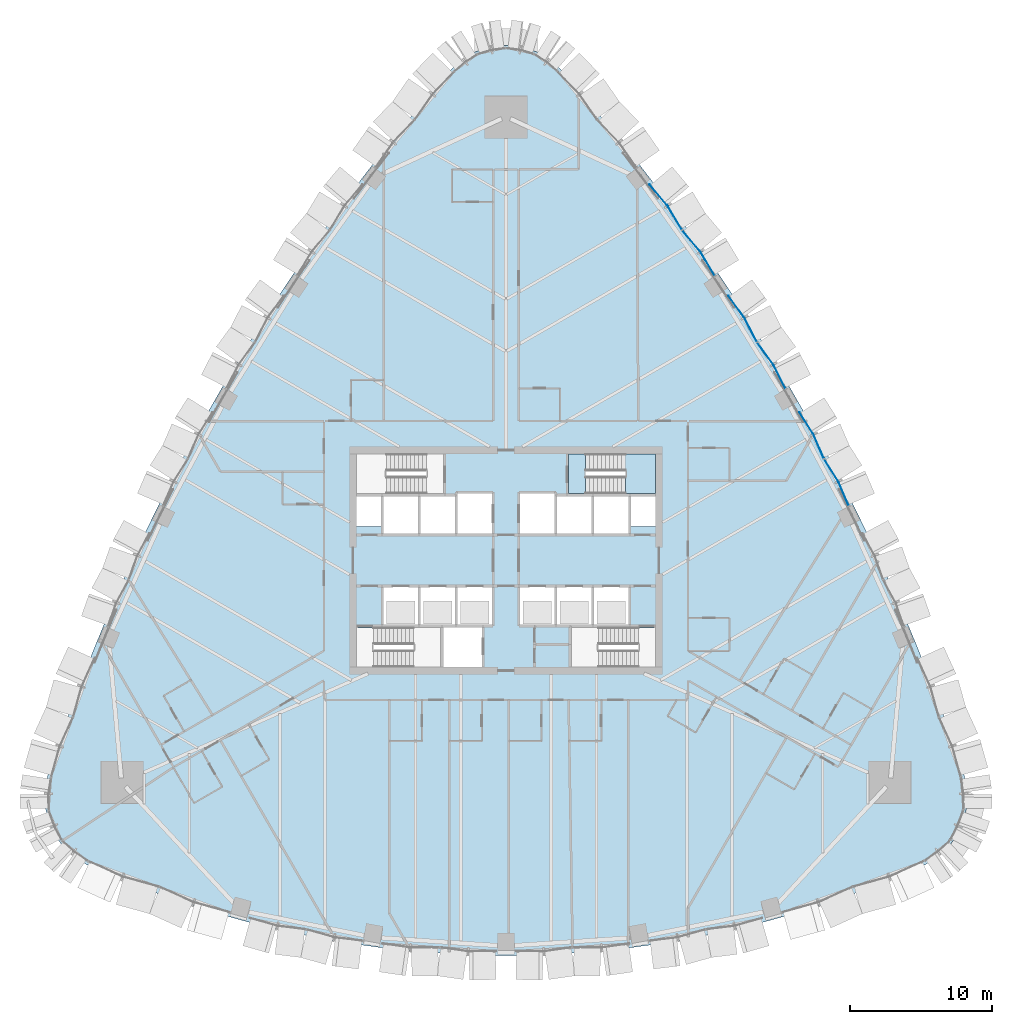
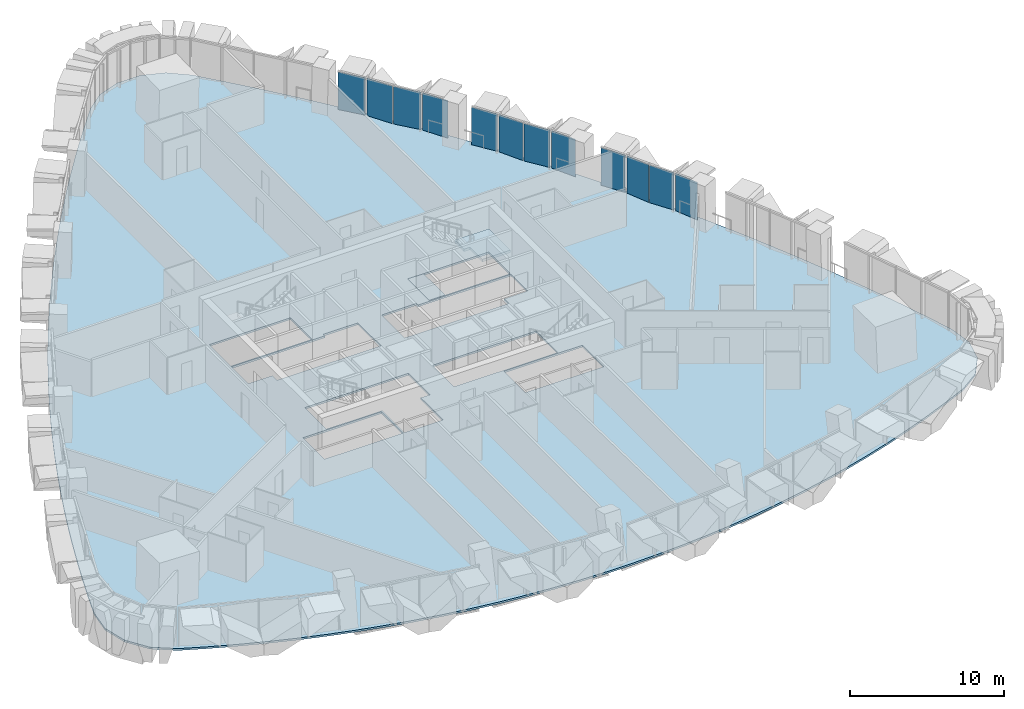
# One storey, part 13 of 24: 12 plates, 3 slabs, 4 elements without a shape of their own.
"""IFC4 building model written with IfcOpenShell, lengths in metres."""

import ifcopenshell
import ifcopenshell.guid

model = None  # the IFC model being written
_history = None  # IfcOwnerHistory: only IFC2X3 demands one
_inside = {}  # id of a spatial element -> (the spatial element, [elements in it])
_under = {}  # id of a project, library or spatial element -> (it, [spatial elements below it])
_declared = {}  # id of a project -> (the project, [libraries it declares])
_typed = {}  # id of a type object -> (the type object, [elements of that type])
_made_of = {}  # id of a material, layer set ... -> (it, [elements and type objects made of it])


def new_model(schema):
    """Start an empty IFC model of exactly this schema.

    Asked for "IFC4X3", IfcOpenShell would pick the latest addendum, in which some entities
    have other attributes; the version numbers below select the first issue.
    IFC2X3 requires an IfcOwnerHistory on every rooted entity: one is made here for all.
    """
    global model, _history
    if schema == "IFC4X3":
        model = ifcopenshell.file(schema_version=(4, 3, 0, 0))
    else:
        model = ifcopenshell.file(schema=schema)
    _inside.clear()
    _under.clear()
    _declared.clear()
    _typed.clear()
    _made_of.clear()
    _history = None
    if model.schema == "IFC2X3":
        org = make("IfcOrganization", Name="unknown")
        user = make(
            "IfcPersonAndOrganization",
            ThePerson=make("IfcPerson", FamilyName="unknown"),
            TheOrganization=org,
        )
        app = make(
            "IfcApplication",
            ApplicationDeveloper=org,
            Version="unknown",
            ApplicationFullName="unknown",
            ApplicationIdentifier="unknown",
        )
        _history = make(
            "IfcOwnerHistory",
            OwningUser=user,
            OwningApplication=app,
            ChangeAction="ADDED",
            CreationDate=0,
        )
    return model


def make(cls, **values):
    """One entity of the class cls with the attributes given. An attribute that is None is left unset."""
    return model.create_entity(
        cls, **{name: value for name, value in values.items() if value is not None}
    )


def rooted(cls, **values):
    """An entity with a GlobalId (a new one), such as an element, a storey or a relation."""
    return make(cls, GlobalId=ifcopenshell.guid.new(), OwnerHistory=_history, **values)


def si_unit(unit_type, name, prefix=None):
    """IfcSIUnit, for example si_unit("LENGTHUNIT", "METRE", prefix="MILLI")."""
    return make("IfcSIUnit", UnitType=unit_type, Prefix=prefix, Name=name)


def assignment(units):
    """IfcUnitAssignment: the units of a project."""
    return None if units is None else make("IfcUnitAssignment", Units=units)


def point(xyz):
    """IfcCartesianPoint."""
    return None if xyz is None else make("IfcCartesianPoint", Coordinates=xyz)


def direction(xyz):
    """IfcDirection."""
    return None if xyz is None else make("IfcDirection", DirectionRatios=xyz)


def frame(location, z_axis=None, x_axis=None):
    """IfcAxis2Placement3D, a coordinate frame: its origin and axes. An axis left out is left unset."""
    return make(
        "IfcAxis2Placement3D",
        Location=point(location),
        Axis=direction(z_axis),
        RefDirection=direction(x_axis),
    )


def origin():
    """The frame at (0, 0, 0) with its axes left unset."""
    return frame((0.0, 0.0, 0.0))


def place(relative_to, where):
    """IfcLocalPlacement: puts the frame where relative to a parent placement (None: the world)."""
    return make(
        "IfcLocalPlacement", PlacementRelTo=relative_to, RelativePlacement=where
    )


def context(
    kind, dimensions, precision=None, world=None, true_north=None, identifier=None
):
    """IfcGeometricRepresentationContext, for example the 3D "Model" context."""
    return make(
        "IfcGeometricRepresentationContext",
        ContextIdentifier=identifier,
        ContextType=kind,
        CoordinateSpaceDimension=dimensions,
        Precision=precision,
        WorldCoordinateSystem=world,
        TrueNorth=true_north,
    )


def subcontext(parent, identifier, kind, view, scale=None):
    """IfcGeometricRepresentationSubContext, for example "Body" below "Model"."""
    return make(
        "IfcGeometricRepresentationSubContext",
        ContextIdentifier=identifier,
        ContextType=kind,
        ParentContext=parent,
        TargetScale=scale,
        TargetView=view,
    )


def project(units=None, contexts=None):
    """IfcProject with its units and contexts."""
    return rooted(
        "IfcProject",
        Name="project",
        RepresentationContexts=contexts,
        UnitsInContext=assignment(units),
    )


def spatial(cls, under=None, at=None, **own):
    """A site, building, storey or space (cls), placed at a placement, below another one or the project."""
    s = rooted(cls, ObjectPlacement=at, **own)
    if under is not None:
        _under.setdefault(under.id(), (under, []))[1].append(s)
    return s


def polyline(points):
    """IfcPolyline through the points."""
    return make("IfcPolyline", Points=[point(p) for p in points])


def outline(outer, holes=None, kind="AREA"):
    """IfcArbitraryClosedProfileDef: a profile drawn as a closed curve; with holes, ...WithVoids."""
    if holes is None:
        return make("IfcArbitraryClosedProfileDef", ProfileType=kind, OuterCurve=outer)
    return make(
        "IfcArbitraryProfileDefWithVoids",
        ProfileType=kind,
        OuterCurve=outer,
        InnerCurves=holes,
    )


def extrude(swept, where, along, depth):
    """IfcExtrudedAreaSolid: the profile swept, set in the frame where, extruded along a direction by depth."""
    return make(
        "IfcExtrudedAreaSolid",
        SweptArea=swept,
        Position=where,
        ExtrudedDirection=direction(along),
        Depth=depth,
    )


def shape(context_of_items, identifier, shape_type, items):
    """IfcShapeRepresentation: the items that make up one representation, for example the "Body"."""
    return make(
        "IfcShapeRepresentation",
        ContextOfItems=context_of_items,
        RepresentationIdentifier=identifier,
        RepresentationType=shape_type,
        Items=items,
    )


def material(Name=None, Category=None):
    """IfcMaterial."""
    return make("IfcMaterial", Name=Name, Category=Category)


def layer(
    of_material, thickness, ventilated=None, Name=None, Category=None, Priority=None
):
    """IfcMaterialLayer: one layer of a wall or slab, of a material (None: an air gap)."""
    return make(
        "IfcMaterialLayer",
        Material=of_material,
        LayerThickness=thickness,
        IsVentilated=ventilated,
        Name=Name,
        Category=Category,
        Priority=Priority,
    )


def layer_set(layers, Name=None):
    """IfcMaterialLayerSet."""
    return make("IfcMaterialLayerSet", MaterialLayers=layers, LayerSetName=Name)


def made_of(thing, what):
    """Note that an element or type object is made of a material, layer set ...; save() writes the relation."""
    if what is not None:
        _made_of.setdefault(what.id(), (what, []))[1].append(thing)
    return thing


def type_object(cls, material=None, **own):
    """A type object (cls), such as IfcWallType, which elements share."""
    return made_of(rooted(cls, **own), material)


def element(
    cls,
    number,
    at=None,
    inside=None,
    cuts=None,
    type_object=None,
    material=None,
    context=None,
    identifier="Body",
    shape_type=None,
    held_by="IfcProductDefinitionShape",
    body=None,
    shapes=None,
    **own,
):
    """One element of the class cls, such as IfcWall. Its Tag is "e" and its number.

    at: its placement. inside: the storey or other place that contains it. cuts: it is an
    opening in that element (IfcRelVoidsElement). A single representation is given by context,
    identifier, shape_type and body (its items); several are given by shapes. held_by: the class
    of the entity that holds the representations. save() writes the other relations.
    """
    e = rooted(cls, Tag="e%d" % number, ObjectPlacement=at, **own)
    if body is not None:
        shapes = [shape(context, identifier, shape_type, body)]
    if shapes is not None:
        e.Representation = make(held_by, Representations=shapes)
    if inside is not None:
        _inside.setdefault(inside.id(), (inside, []))[1].append(e)
    if cuts is not None:
        rooted(
            "IfcRelVoidsElement", RelatingBuildingElement=cuts, RelatedOpeningElement=e
        )
    if type_object is not None:
        _typed.setdefault(type_object.id(), (type_object, []))[1].append(e)
    return made_of(e, material)


def aggregate(whole, parts):
    """IfcRelAggregates: a whole, such as a stair, and the parts it consists of."""
    return rooted("IfcRelAggregates", RelatingObject=whole, RelatedObjects=parts)


def save(model, path):
    """Write the relations noted so far, then the file.

    IfcRelAggregates (storeys below a building ...), IfcRelContainedInSpatialStructure (elements
    in a storey), IfcRelDefinesByType, IfcRelAssociatesMaterial and IfcRelDeclares: one each for
    every whole, place, type object, material and project.
    """
    for whole, parts in _under.values():
        aggregate(whole, parts)
    for where, things in _inside.values():
        rooted(
            "IfcRelContainedInSpatialStructure",
            RelatedElements=things,
            RelatingStructure=where,
        )
    for kind, things in _typed.values():
        rooted("IfcRelDefinesByType", RelatedObjects=things, RelatingType=kind)
    for what, things in _made_of.values():
        rooted("IfcRelAssociatesMaterial", RelatedObjects=things, RelatingMaterial=what)
    for by, libraries in _declared.values():
        rooted("IfcRelDeclares", RelatingContext=by, RelatedDefinitions=libraries)
    model.write(path)


model = new_model("IFC4")

# Units and contexts
model_context = context("Model", 3, precision=1e-05, world=origin(), true_north=direction((0.0, 1.0)))
body_context = subcontext(model_context, "Body", "Model", "MODEL_VIEW")
ifc_project = project(units=[si_unit("LENGTHUNIT", "METRE"), si_unit("AREAUNIT", "SQUARE_METRE"), si_unit("VOLUMEUNIT", "CUBIC_METRE"), si_unit("PLANEANGLEUNIT", "RADIAN"), si_unit("MASSUNIT", "GRAM", prefix="KILO")], contexts=[model_context])

# Site, building, storey
site_placement = place(None, origin())
site = spatial("IfcSite", under=ifc_project, at=site_placement, CompositionType="ELEMENT")
building_placement = place(site_placement, origin())
building = spatial("IfcBuilding", under=site, at=building_placement, Name="Sierra Prisma Convention Tower", CompositionType="ELEMENT")
storey_placement = place(building_placement, frame((0.0, 0.0, 55.39990234375)))
storey = spatial("IfcBuildingStorey", under=building, at=storey_placement, Name="L09", CompositionType="ELEMENT", Elevation=55.39990234375)

# Curtain wall, plates
ifc_material_1 = material(Name="Aluminium and glass curtain wall", Category="aluminium")
ifc_layer_1 = layer(ifc_material_1, 0.179931640625)
ifc_layer_set_1 = layer_set([ifc_layer_1], Name="CW-2 Faceted crystal curtain wall")
curtain_wall_type = type_object("IfcCurtainWallType", Name="CW-2 Faceted crystal curtain wall", PredefinedType="NOTDEFINED", material=ifc_layer_set_1)
curtain_wall_1_placement = place(storey_placement, origin())
curtain_wall_1 = element("IfcCurtainWall", 1, at=curtain_wall_1_placement, inside=storey, type_object=curtain_wall_type, Name="CW-2 NE3 L09", PredefinedType="NOTDEFINED")
ifc_material_2 = material(Name="Tinted glass bronze-grey IGU", Category="glass")
ifc_layer_2 = layer(ifc_material_2, 0.028076171875)
ifc_layer_set_2 = layer_set([ifc_layer_2], Name="CW-2 crystal pane")
plate_type = type_object("IfcPlateType", Name="CW-2 crystal pane", PredefinedType="CURTAIN_PANEL", material=ifc_layer_set_2)
plate_1_placement = place(storey_placement, frame((24.09912109375, 3.8671875, 0.0), z_axis=(0.918290517856, 0.395907217434, 0.0), x_axis=(-0.395907217434, 0.918290517856, 0.0)))
plate_1 = element("IfcPlate", 2, at=plate_1_placement, type_object=plate_type, Name="CW-2 pane NE3.1.1", PredefinedType="CURTAIN_PANEL", context=body_context, shape_type="SweptSolid", body=[
    extrude(outline(polyline([(0.0, 0.0), (1.77783427753008, 0.0), (1.77783427753008, 2.97998046875), (0.0, 2.97998046875), (0.0, 0.0)])), origin(), (0.0, 0.0, -1.0), 0.028076171875),
])
plate_2_placement = place(storey_placement, frame((22.384033203125, 7.116943359375, 0.0), z_axis=(0.845038317037, 0.534705753419, 0.0), x_axis=(0.534705753419, -0.845038317037, 0.0)))
plate_2 = element("IfcPlate", 3, at=plate_2_placement, type_object=plate_type, Name="CW-2 pane NE3.1.2", PredefinedType="CURTAIN_PANEL", context=body_context, shape_type="SweptSolid", body=[
    extrude(outline(polyline([(0.0, 0.0), (1.7779565446432861, 0.0), (1.7779565446432861, -2.97998046875), (0.0, -2.97998046875), (0.0, 0.0)])), origin(), (0.0, 0.0, -1.0), 0.028076171875),
])
plate_3_placement = place(storey_placement, frame((22.3515625, 7.178955078125, 0.0), z_axis=(0.918240587784, 0.396023008101, 0.0), x_axis=(-0.396023008101, 0.918240587784, 0.0)))
plate_3 = element("IfcPlate", 4, at=plate_3_placement, type_object=plate_type, Name="CW-2 pane NE3.2.1", PredefinedType="CURTAIN_PANEL", context=body_context, shape_type="SweptSolid", body=[
    extrude(outline(polyline([(0.0, 0.0), (1.7779309487005734, 0.0), (1.7779309487005734, 2.97998046875), (0.0, 2.97998046875), (0.0, 0.0)])), origin(), (0.0, 0.0, -1.0), 0.028076171875),
])
plate_4_placement = place(storey_placement, frame((20.636474609375, 10.4287109375, 0.0), z_axis=(0.845038317037, 0.534705753419, 0.0), x_axis=(0.534705753419, -0.845038317037, 0.0)))
plate_4 = element("IfcPlate", 5, at=plate_4_placement, type_object=plate_type, Name="CW-2 pane NE3.2.2", PredefinedType="CURTAIN_PANEL", context=body_context, shape_type="SweptSolid", body=[
    extrude(outline(polyline([(0.0, 0.0), (1.7779565446432861, 0.0), (1.7779565446432861, -2.97998046875), (0.0, -2.97998046875), (0.0, 0.0)])), origin(), (0.0, 0.0, -1.0), 0.028076171875),
])
aggregate(curtain_wall_1, [plate_1, plate_2, plate_3, plate_4])

curtain_wall_2_placement = place(storey_placement, origin())
curtain_wall_2 = element("IfcCurtainWall", 6, at=curtain_wall_2_placement, inside=storey, type_object=curtain_wall_type, Name="CW-2 NE4 L09", PredefinedType="NOTDEFINED")
plate_5_placement = place(storey_placement, frame((19.66455078125, 12.08935546875, 0.0), z_axis=(0.889542228451, 0.456852956433, 0.0), x_axis=(-0.456852956433, 0.889542228451, 0.0)))
plate_5 = element("IfcPlate", 7, at=plate_5_placement, type_object=plate_type, Name="CW-2 pane NE4.1.1", PredefinedType="CURTAIN_PANEL", context=body_context, shape_type="SweptSolid", body=[
    extrude(outline(polyline([(0.0, 0.0), (1.838858387136445, 0.0), (1.838858387136445, 2.9799804687500004), (0.0, 2.9799804687500004), (0.0, 0.0)])), origin(), (0.0, 0.0, -1.0), 0.028076171875),
])
plate_6_placement = place(storey_placement, frame((17.6708984375, 15.319580078125, 0.0), z_axis=(0.807096678843, 0.590419301006, 0.0), x_axis=(0.590419301006, -0.807096678843, 0.0)))
plate_6 = element("IfcPlate", 8, at=plate_6_placement, type_object=plate_type, Name="CW-2 pane NE4.1.2", PredefinedType="CURTAIN_PANEL", context=body_context, shape_type="SweptSolid", body=[
    extrude(outline(polyline([(0.0, 0.0), (1.8388514019191842, 0.0), (1.8388514019191842, -2.97998046875), (0.0, -2.97998046875), (0.0, 0.0)])), origin(), (0.0, 0.0, -1.0), 0.028076171875),
])
plate_7_placement = place(storey_placement, frame((17.63427734375, 15.379150390625, 0.0), z_axis=(0.889542228451, 0.456852956433, 0.0), x_axis=(-0.456852956433, 0.889542228451, 0.0)))
plate_7 = element("IfcPlate", 9, at=plate_7_placement, type_object=plate_type, Name="CW-2 pane NE4.2.1", PredefinedType="CURTAIN_PANEL", context=body_context, shape_type="SweptSolid", body=[
    extrude(outline(polyline([(0.0, 0.0), (1.838858387136445, 0.0), (1.838858387136445, 2.9799804687500004), (0.0, 2.9799804687500004), (0.0, 0.0)])), origin(), (0.0, 0.0, -1.0), 0.028076171875),
])
plate_8_placement = place(storey_placement, frame((15.640625, 18.609130859375, 0.0), z_axis=(0.807096678843, 0.590419301006, 0.0), x_axis=(0.590419301006, -0.807096678843, 0.0)))
plate_8 = element("IfcPlate", 10, at=plate_8_placement, type_object=plate_type, Name="CW-2 pane NE4.2.2", PredefinedType="CURTAIN_PANEL", context=body_context, shape_type="SweptSolid", body=[
    extrude(outline(polyline([(0.0, 0.0), (1.8388514019191842, 0.0), (1.8388514019191842, -2.97998046875), (0.0, -2.97998046875), (0.0, 0.0)])), origin(), (0.0, 0.0, -1.0), 0.028076171875),
])
aggregate(curtain_wall_2, [plate_5, plate_6, plate_7, plate_8])

curtain_wall_3_placement = place(storey_placement, origin())
curtain_wall_3 = element("IfcCurtainWall", 11, at=curtain_wall_3_placement, inside=storey, type_object=curtain_wall_type, Name="CW-2 NE5 L09", PredefinedType="NOTDEFINED")
plate_9_placement = place(storey_placement, frame((14.680419921875, 20.03125, 0.0), z_axis=(0.856785800257, 0.515672466279, 0.0), x_axis=(-0.515672466279, 0.856785800257, 0.0)))
plate_9 = element("IfcPlate", 12, at=plate_9_placement, type_object=plate_type, Name="CW-2 pane NE5.1.1", PredefinedType="CURTAIN_PANEL", context=body_context, shape_type="SweptSolid", body=[
    extrude(outline(polyline([(0.0, 0.0), (1.8909244142633397, 0.0), (1.8909244142633397, 2.9799804687500004), (0.0, 2.9799804687500004), (0.0, 0.0)])), origin(), (0.0, 0.0, -1.0), 0.028076171875),
])
plate_10_placement = place(storey_placement, frame((12.413330078125, 23.20458984375, 0.0), z_axis=(0.765590402511, 0.643328326427, 0.0), x_axis=(0.643328326427, -0.765590402511, 0.0)))
plate_10 = element("IfcPlate", 13, at=plate_10_placement, type_object=plate_type, Name="CW-2 pane NE5.1.2", PredefinedType="CURTAIN_PANEL", context=body_context, shape_type="SweptSolid", body=[
    extrude(outline(polyline([(0.0, 0.0), (1.8910293304381676, 0.0), (1.8910293304381676, -2.97998046875), (0.0, -2.97998046875), (0.0, 0.0)])), origin(), (0.0, 0.0, -1.0), 0.028076171875),
])
plate_11_placement = place(storey_placement, frame((12.372802734375, 23.261474609375, 0.0), z_axis=(0.85682012772, 0.515615427168, 0.0), x_axis=(-0.515615427168, 0.85682012772, 0.0)))
plate_11 = element("IfcPlate", 14, at=plate_11_placement, type_object=plate_type, Name="CW-2 pane NE5.2.1", PredefinedType="CURTAIN_PANEL", context=body_context, shape_type="SweptSolid", body=[
    extrude(outline(polyline([(0.0, 0.0), (1.8911335946747014, 0.0), (1.8911335946747014, 2.97998046875), (0.0, 2.97998046875), (0.0, 0.0)])), origin(), (0.0, 0.0, -1.0), 0.028076171875),
])
plate_12_placement = place(storey_placement, frame((10.105712890625, 26.43505859375, 0.0), z_axis=(0.765590402511, 0.643328326427, 0.0), x_axis=(0.643328326427, -0.765590402511, 0.0)))
plate_12 = element("IfcPlate", 15, at=plate_12_placement, type_object=plate_type, Name="CW-2 pane NE5.2.2", PredefinedType="CURTAIN_PANEL", context=body_context, shape_type="SweptSolid", body=[
    extrude(outline(polyline([(0.0, 0.0), (1.8910293304381676, 0.0), (1.8910293304381676, -2.97998046875), (0.0, -2.97998046875), (0.0, 0.0)])), origin(), (0.0, 0.0, -1.0), 0.028076171875),
])
aggregate(curtain_wall_3, [plate_9, plate_10, plate_11, plate_12])

# Slab
ifc_material_3 = material(Name="Concrete C35/45", Category="concrete")
ifc_layer_3 = layer(ifc_material_3, 0.14990234375)
ifc_layer_set_3 = layer_set([ifc_layer_3], Name="Composite floor slab 150")
slab_type_1 = type_object("IfcSlabType", Name="Composite floor slab 150", PredefinedType="FLOOR", material=ifc_layer_set_3)
slab_1_placement = place(storey_placement, frame((0.0, 0.0, -0.14990234375)))
element("IfcSlab", 16, at=slab_1_placement, inside=storey, type_object=slab_type_1, Name="Floor slab L09 floor", PredefinedType="FLOOR", context=body_context, shape_type="SweptSolid", body=[
    extrude(outline(polyline([(-29.498779296875, -21.357421875), (-27.701904296875, -22.1455078125), (-25.8837890625, -22.884033203125), (-24.046142578125, -23.57177734375), (-22.190185546875, -24.208984375), (-20.317626953125, -24.794677734375), (-18.429443359375, -25.32861328125), (-16.527099609375, -25.81005859375), (-14.612548828125, -26.2392578125), (-12.686767578125, -26.615478515625), (-10.751220703125, -26.938232421875), (-8.8076171875, -27.207763671875), (-6.857177734375, -27.423583984375), (-4.90185546875, -27.585693359375), (-2.942626953125, -27.69384765625), (-0.981201171875, -27.747802734375), (0.981201171875, -27.747802734375), (2.942626953125, -27.69384765625), (4.90185546875, -27.585693359375), (6.857177734375, -27.423583984375), (8.8076171875, -27.207763671875), (10.751220703125, -26.938232421875), (12.686767578125, -26.615478515625), (14.612548828125, -26.2392578125), (16.527099609375, -25.81005859375), (18.429443359375, -25.32861328125), (20.317626953125, -24.794677734375), (22.190185546875, -24.208984375), (24.046142578125, -23.57177734375), (25.8837890625, -22.884033203125), (27.701904296875, -22.1455078125), (29.498779296875, -21.357421875), (31.01318359375, -20.2998046875), (32.0498046875, -18.77099609375), (32.471923828125, -16.972900390625), (32.22412109375, -15.142333984375), (31.591064453125, -13.258544921875), (30.93212890625, -11.3837890625), (30.246826171875, -9.518310546875), (29.53564453125, -7.66259765625), (28.798828125, -5.817138671875), (28.0361328125, -3.98193359375), (27.248046875, -2.157470703125), (26.4345703125, -0.34423828125), (25.595947265625, 1.457275390625), (24.732421875, 3.2470703125), (23.84375, 5.02490234375), (22.9306640625, 6.789794921875), (21.992919921875, 8.5419921875), (21.03076171875, 10.281005859375), (20.044677734375, 12.00634765625), (19.03466796875, 13.7177734375), (18.000732421875, 15.4150390625), (16.943359375, 17.09765625), (15.862548828125, 18.76513671875), (14.758544921875, 20.417724609375), (13.631591796875, 22.0546875), (12.482177734375, 23.67578125), (11.31005859375, 25.28076171875), (10.115966796875, 26.869140625), (8.899658203125, 28.440673828125), (7.661376953125, 29.995361328125), (6.40185546875, 31.532470703125), (5.120849609375, 33.0517578125), (3.81884765625, 34.55322265625), (2.481201171875, 35.634033203125), (0.85986328125, 36.20703125), (-0.85986328125, 36.20703125), (-2.481201171875, 35.634033203125), (-3.81884765625, 34.55322265625), (-5.120849609375, 33.0517578125), (-6.40185546875, 31.532470703125), (-7.661376953125, 29.995361328125), (-8.899658203125, 28.440673828125), (-10.115966796875, 26.869140625), (-11.31005859375, 25.28076171875), (-12.482177734375, 23.67578125), (-13.631591796875, 22.0546875), (-14.758544921875, 20.417724609375), (-15.862548828125, 18.76513671875), (-16.943359375, 17.09765625), (-18.000732421875, 15.4150390625), (-19.03466796875, 13.7177734375), (-20.044677734375, 12.00634765625), (-21.03076171875, 10.281005859375), (-21.992919921875, 8.5419921875), (-22.9306640625, 6.789794921875), (-23.84375, 5.02490234375), (-24.732421875, 3.2470703125), (-25.595947265625, 1.457275390625), (-26.4345703125, -0.34423828125), (-27.248046875, -2.157470703125), (-28.0361328125, -3.98193359375), (-28.798828125, -5.817138671875), (-29.53564453125, -7.66259765625), (-30.246826171875, -9.518310546875), (-30.93212890625, -11.3837890625), (-31.591064453125, -13.258544921875), (-32.22412109375, -15.142333984375), (-32.471923828125, -16.972900390625), (-32.0498046875, -18.77099609375), (-31.01318359375, -20.2998046875), (-29.498779296875, -21.357421875)]), holes=[polyline([(-4.60009765625, -7.5), (-10.5, -7.5), (-10.5, -4.699951171875), (-4.60009765625, -4.699951171875), (-4.60009765625, -7.5)]), polyline([(-8.699951171875, -4.60009765625), (-8.699951171875, -1.800048828125), (-6.10009765625, -1.800048828125), (-3.5, -1.800048828125), (-0.89990234375, -1.800048828125), (-0.89990234375, -4.60009765625), (-1.60009765625, -4.60009765625), (-1.60009765625, -7.5), (-4.5, -7.5), (-4.5, -4.60009765625), (-6.10009765625, -4.60009765625), (-8.699951171875, -4.60009765625)]), polyline([(-10.5, 4.60009765625), (-8.699951171875, 4.60009765625), (-6.10009765625, 4.60009765625), (-3.5, 4.60009765625), (-3.5, 4.800048828125), (-0.89990234375, 4.800048828125), (-0.89990234375, 1.800048828125), (-3.5, 1.800048828125), (-6.10009765625, 1.800048828125), (-8.699951171875, 1.800048828125), (-8.699951171875, 2.39990234375), (-10.5, 2.39990234375), (-10.5, 4.60009765625)]), polyline([(-4.39990234375, 4.699951171875), (-10.5, 4.699951171875), (-10.5, 7.5), (-4.39990234375, 7.5), (-4.39990234375, 4.699951171875)]), polyline([(10.5, -7.5), (4.60009765625, -7.5), (4.60009765625, -4.699951171875), (10.5, -4.699951171875), (10.5, -7.5)]), polyline([(6.10009765625, -1.800048828125), (8.699951171875, -1.800048828125), (8.699951171875, -4.60009765625), (6.10009765625, -4.60009765625), (3.5, -4.60009765625), (0.89990234375, -4.60009765625), (0.89990234375, -1.800048828125), (3.5, -1.800048828125), (6.10009765625, -1.800048828125)]), polyline([(10.5, 4.60009765625), (10.5, 2.39990234375), (8.699951171875, 2.39990234375), (8.699951171875, 1.800048828125), (6.10009765625, 1.800048828125), (3.5, 1.800048828125), (0.89990234375, 1.800048828125), (0.89990234375, 4.800048828125), (3.5, 4.800048828125), (3.5, 4.60009765625), (6.10009765625, 4.60009765625), (8.699951171875, 4.60009765625), (10.5, 4.60009765625)]), polyline([(4.39990234375, 4.699951171875), (4.39990234375, 7.5), (10.5, 7.5), (10.5, 4.699951171875), (4.39990234375, 4.699951171875)])]), origin(), (0.0, 0.0, 1.0), 0.14990234375),
])

# Stair, slab
ifc_material_4 = material(Name="Concrete C30/37", Category="concrete")
stair_type = type_object("IfcStairType", Name="Stair dog-leg 1200 RC", PredefinedType="HALF_TURN_STAIR", material=ifc_material_4)
stair_placement = place(storey_placement, origin())
stair = element("IfcStair", 17, at=stair_placement, inside=storey, type_object=stair_type, Name="L09 S4", PredefinedType="HALF_TURN_STAIR")
ifc_material_5 = material(Name="Concrete C35/45", Category="concrete")
ifc_layer_4 = layer(ifc_material_5, 0.199951171875)
ifc_layer_set_4 = layer_set([ifc_layer_4], Name="Stair landing slab")
slab_type_2 = type_object("IfcSlabType", Name="Stair landing slab", PredefinedType="LANDING", material=ifc_layer_set_4)
slab_2_placement = place(storey_placement, frame((0.0, 0.0, 1.650146484375)))
slab_2 = element("IfcSlab", 18, at=slab_2_placement, type_object=slab_type_2, Name="S4 landing 1", PredefinedType="LANDING", context=body_context, shape_type="SweptSolid", body=[
    extrude(outline(polyline([(10.5, 7.5), (10.5, 4.699951171875), (8.39794921875, 4.699951171875), (8.39794921875, 6.300048828125), (7.949951171875, 6.300048828125), (7.949951171875, 7.5), (10.5, 7.5)])), origin(), (0.0, 0.0, 1.0), 0.199951171875),
])
aggregate(stair, [slab_2])

# Slab
slab_3_placement = place(storey_placement, frame((0.0, 0.0, -0.199951171875)))
element("IfcSlab", 19, at=slab_3_placement, inside=storey, type_object=slab_type_2, Name="S4 floor landing L09", PredefinedType="LANDING", context=body_context, shape_type="SweptSolid", body=[
    extrude(outline(polyline([(4.39990234375, 4.699951171875), (5.60205078125, 4.699951171875), (5.60205078125, 7.5), (4.39990234375, 7.5), (4.39990234375, 4.699951171875)])), origin(), (0.0, 0.0, 1.0), 0.199951171875),
])

save(model, "model.ifc")
